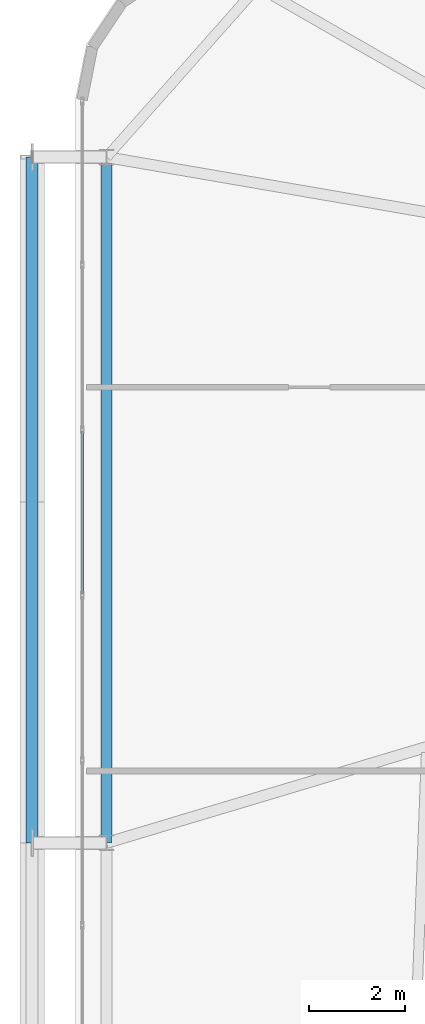
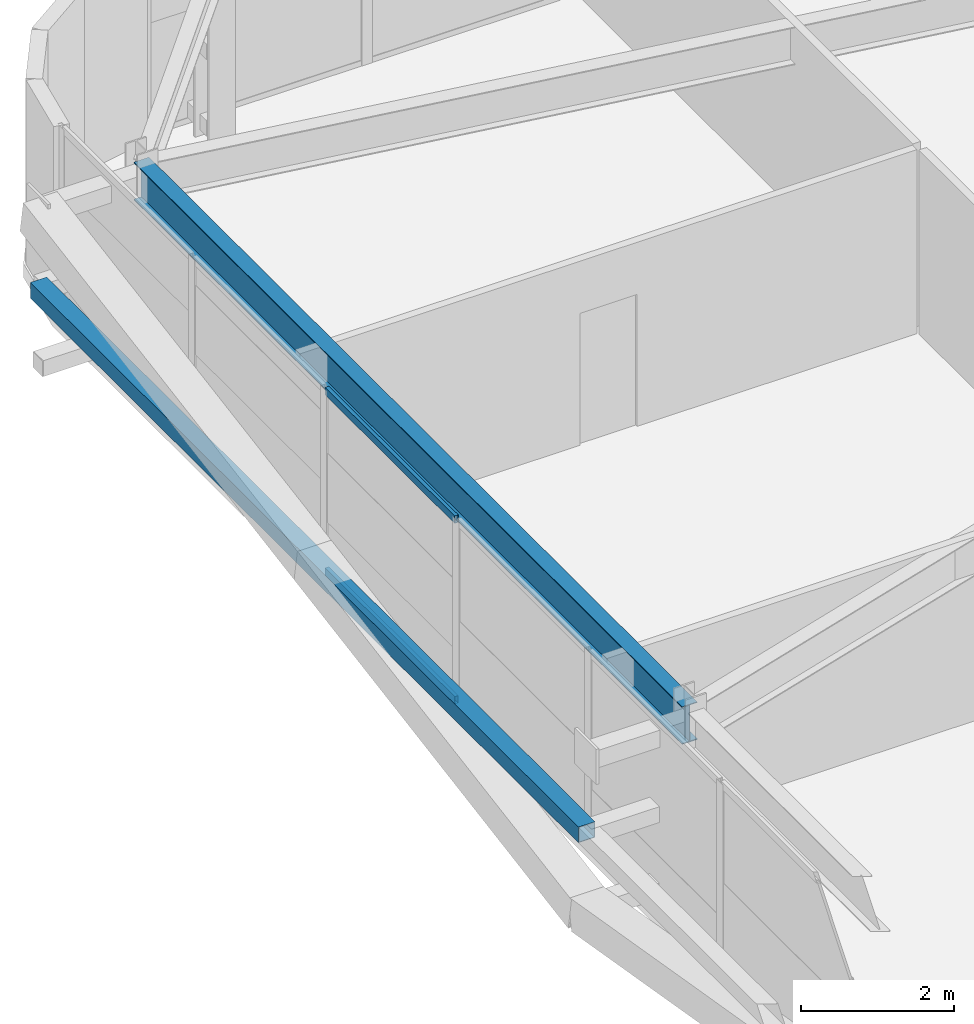
# One storey, part 17 of 59: 3 members, 1 beam, 1 element without a shape of its own.
"""IFC4 building model written with IfcOpenShell, lengths in metres."""

from ifc_helpers import new_model, si_unit, direction, frame, origin, origin_2d, place, context, subcontext, project, spatial, hollow_rectangle, i_section, extrude, source, transform, mapped, material, layer, layer_set, material_profile, profile_set, type_object, element, aggregate, save


model = new_model("IFC4")

# Units and contexts
model_context = context("Model", 3, precision=1e-05, world=origin(), true_north=direction((0.0, 1.0)))
body_context = subcontext(model_context, "Body", "Model", "MODEL_VIEW")
ifc_project = project(units=[si_unit("LENGTHUNIT", "METRE"), si_unit("AREAUNIT", "SQUARE_METRE"), si_unit("VOLUMEUNIT", "CUBIC_METRE"), si_unit("PLANEANGLEUNIT", "RADIAN"), si_unit("MASSUNIT", "GRAM", prefix="KILO")], contexts=[model_context])

# Site, building, storey
site_placement = place(None, origin())
site = spatial("IfcSite", under=ifc_project, at=site_placement, CompositionType="ELEMENT")
building_placement = place(site_placement, origin())
building = spatial("IfcBuilding", under=site, at=building_placement, Name="Taldren Reach Tower", CompositionType="ELEMENT")
storey_placement = place(building_placement, frame((0.0, 0.0, 26.25)))
storey = spatial("IfcBuildingStorey", under=building, at=storey_placement, Name="L07", CompositionType="ELEMENT", Elevation=26.25)

# Beam
ifc_material_1 = material(Name="Steel Gr 350 (350PLUS)", Category="steel")
ifc_material_profile_1 = material_profile(ifc_material_1, i_section(OverallWidth=0.22802734375, OverallDepth=0.60205078125, WebThickness=0.010498046875, FlangeThickness=0.014892578125, at=origin_2d()), Name="610UB101")
ifc_profile_set_1 = profile_set([ifc_material_profile_1], Name="Steel Gr 350 (350PLUS)")
beam_type = type_object("IfcBeamType", Name="BM-UB610B", PredefinedType="BEAM", material=ifc_profile_set_1)
shared_shape_1 = source(origin(), body_context, "Body", "SweptSolid", [
    extrude(i_section(OverallWidth=0.22802734375, OverallDepth=0.60205078125, WebThickness=0.010498046875, FlangeThickness=0.014892578125, at=origin_2d()), origin(), (0.0, 0.0, 1.0), 14.300048828125),
])
beam_placement = place(storey_placement, frame((5.64990234375, 34.300048828125, 2.62890625), z_axis=(0.0, -1.0, 0.0), x_axis=(1.0, 0.0, 0.0)))
element("IfcBeam", 1, at=beam_placement, inside=storey, type_object=beam_type, Name="Perimeter gable girder B1 W3-W2 L07", PredefinedType="BEAM", context=body_context, shape_type="MappedRepresentation", body=[
    mapped(shared_shape_1, transform((0.0, 0.0, 0.0), scale=1.0)),
])

# Member
ifc_material_2 = material(Name="Steel Gr 350 (C350L0)", Category="steel")
ifc_material_profile_2 = material_profile(ifc_material_2, hollow_rectangle(XDim=0.25, YDim=0.25, WallThickness=0.010009765625, at=origin_2d()), Name="250x250x10.0SHS")
ifc_profile_set_2 = profile_set([ifc_material_profile_2], Name="Steel Gr 350 (C350L0)")
member_type_1 = type_object("IfcMemberType", Name="MB-POST250", PredefinedType="POST", material=ifc_profile_set_2)
shared_shape_2 = source(origin(), body_context, "Body", "SweptSolid", [
    extrude(hollow_rectangle(XDim=0.25, YDim=0.25, WallThickness=0.010009765625, at=origin_2d()), origin(), (0.0, 0.0, 1.0), 14.300048828125),
])
member_1_placement = place(storey_placement, frame((4.10009765625, 20.0, 1.43505859375), z_axis=(0.0, 1.0, 0.0), x_axis=(-1.0, 0.0, 0.0)))
element("IfcMember", 2, at=member_1_placement, inside=storey, type_object=member_type_1, Name="Exoskeleton mid-height ring chord B1-W2 L07", PredefinedType="POST", context=body_context, shape_type="MappedRepresentation", body=[
    mapped(shared_shape_2, transform((0.0, 0.0, 0.0), scale=1.0)),
])

# Curtain wall, members
ifc_material_3 = material(Name="Aluminium and Low-E Glass Unitised System", Category="aluminium")
ifc_layer = layer(ifc_material_3, 0.159912109375)
ifc_layer_set = layer_set([ifc_layer], Name="Aluminium and Low-E Glass Unitised System")
curtain_wall_type = type_object("IfcCurtainWallType", Name="CW-SYS-2", PredefinedType="NOTDEFINED", material=ifc_layer_set)
curtain_wall_placement = place(storey_placement, origin())
curtain_wall = element("IfcCurtainWall", 3, at=curtain_wall_placement, inside=storey, type_object=curtain_wall_type, Name="Unitised curtain wall CW-L07-W", PredefinedType="NOTDEFINED")
ifc_material_4 = material(Name="Anodised Aluminium 6063-T6", Category="aluminium")
ifc_material_profile_3 = material_profile(ifc_material_4, hollow_rectangle(XDim=0.054931640625, YDim=0.1201171875, WallThickness=0.0029296875, at=origin_2d()), Name="ALU-120x55x3RHS")
ifc_profile_set_3 = profile_set([ifc_material_profile_3], Name="Anodised Aluminium 6063-T6")
member_type_2 = type_object("IfcMemberType", Name="CW-TRN-135", PredefinedType="USERDEFINED", material=ifc_profile_set_3)
shared_shape_3 = source(origin(), body_context, "Body", "SweptSolid", [
    extrude(hollow_rectangle(XDim=0.054931640625, YDim=0.1201171875, WallThickness=0.0029296875, at=origin_2d()), origin(), (0.0, 0.0, 1.0), 3.37939453125),
])
member_2_placement = place(storey_placement, frame((5.139892578125, 28.57861328125, 0.027587890625), z_axis=(0.0, -1.0, 0.0), x_axis=(1.0, 0.0, 0.0)))
member_2 = element("IfcMember", 4, at=member_2_placement, type_object=member_type_2, Name="CW-2 transom 3.1", ObjectType="TRANSOM", PredefinedType="USERDEFINED", context=body_context, shape_type="MappedRepresentation", body=[
    mapped(shared_shape_3, transform((0.0, 0.0, 0.0), scale=1.0)),
])
member_3_placement = place(storey_placement, frame((5.139892578125, 28.57861328125, 2.902587890625), z_axis=(0.0, -1.0, 0.0), x_axis=(1.0, 0.0, 0.0)))
member_3 = element("IfcMember", 5, at=member_3_placement, type_object=member_type_2, Name="CW-2 transom 3.2", ObjectType="TRANSOM", PredefinedType="USERDEFINED", context=body_context, shape_type="MappedRepresentation", body=[
    mapped(shared_shape_3, transform((0.0, 0.0, 0.0), scale=1.0)),
])
aggregate(curtain_wall, [member_2, member_3])

save(model, "model.ifc")
